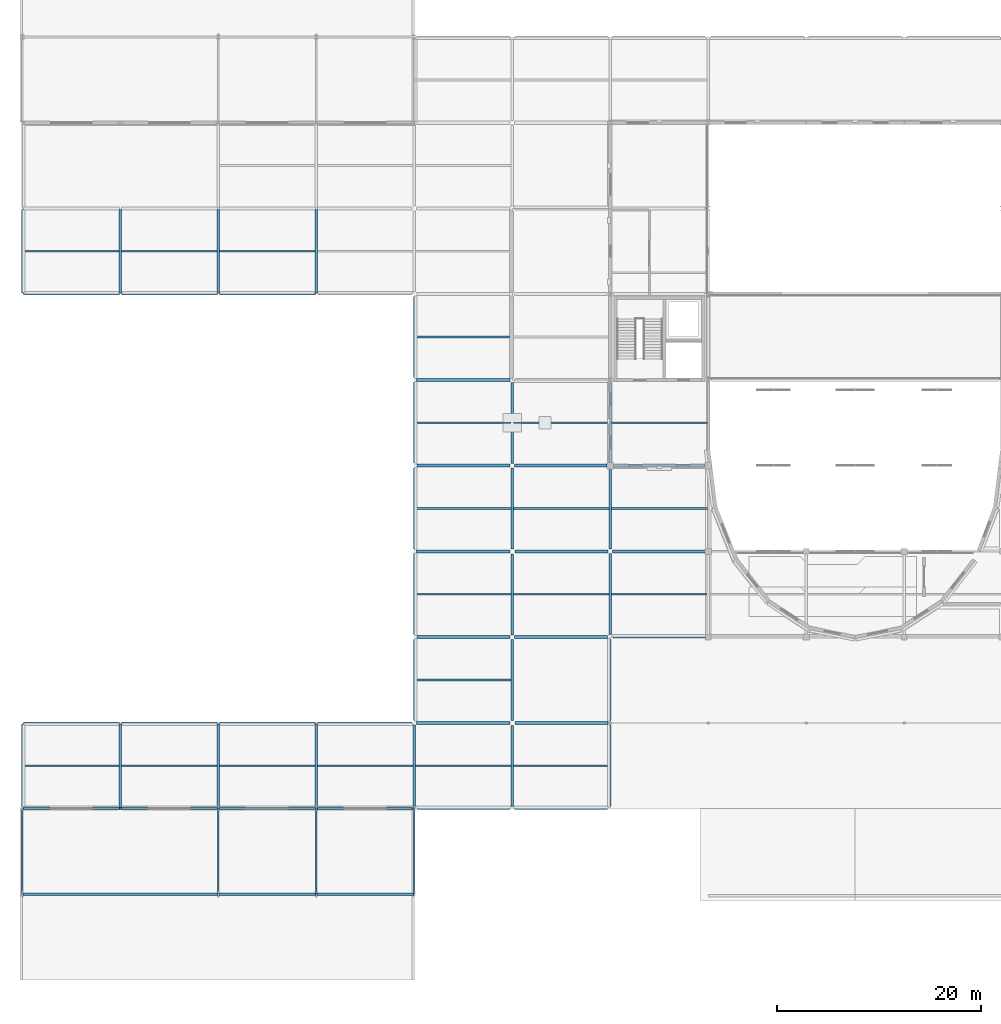
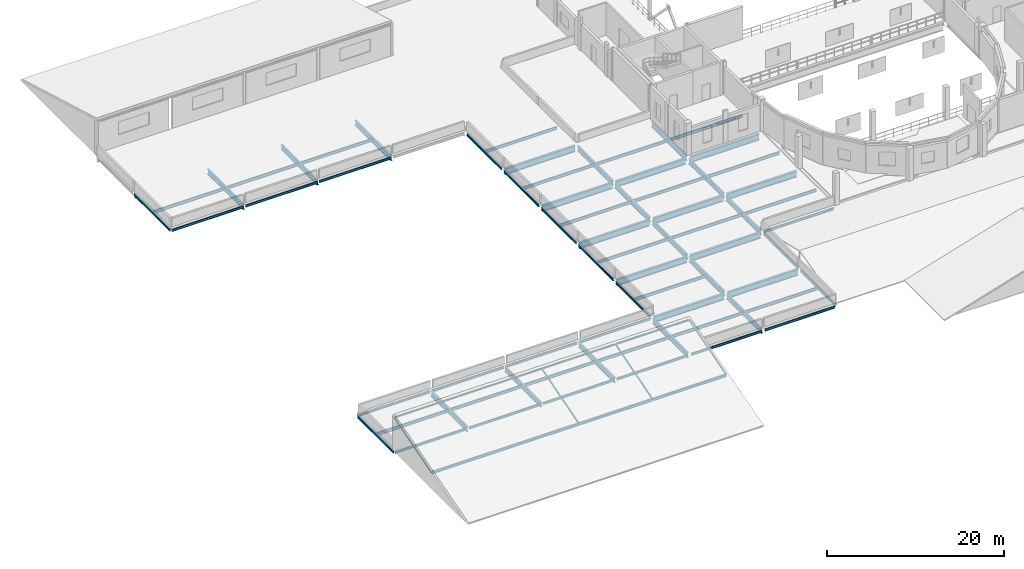
# One storey, part 10 of 52: 75 beams, 4 members.
"""IFC4 building model written with IfcOpenShell, lengths in metres."""

from ifc_helpers import new_model, si_unit, direction, frame, origin, origin_2d, place, context, subcontext, project, spatial, hollow_rectangle, i_section, extrude, material, material_profile, profile_set, type_object, element, save


model = new_model("IFC4")

# Units and contexts
model_context = context("Model", 3, precision=1e-05, world=origin(), true_north=direction((0.0, 1.0)))
body_context = subcontext(model_context, "Body", "Model", "MODEL_VIEW")
ifc_project = project(units=[si_unit("LENGTHUNIT", "METRE"), si_unit("AREAUNIT", "SQUARE_METRE"), si_unit("VOLUMEUNIT", "CUBIC_METRE"), si_unit("PLANEANGLEUNIT", "RADIAN"), si_unit("MASSUNIT", "GRAM", prefix="KILO")], contexts=[model_context])

# Site, building, storey
site_placement = place(None, origin())
site = spatial("IfcSite", under=ifc_project, at=site_placement, CompositionType="ELEMENT")
building_placement = place(site_placement, origin())
building = spatial("IfcBuilding", under=site, at=building_placement, Name="Lornevale Opera House", CompositionType="ELEMENT")
storey_placement = place(building_placement, frame((0.0, 0.0, 15.0)))
storey = spatial("IfcBuildingStorey", under=building, at=storey_placement, Name="L04", CompositionType="ELEMENT", Elevation=15.0)

# Beams
ifc_material = material(Name="Structural Steel CSA G40.21 Grade 350W (350 MPa)", Category="steel")
ifc_material_profile_1 = material_profile(ifc_material, i_section(OverallWidth=0.1650390625, OverallDepth=0.200927734375, WebThickness=0.006103515625, FlangeThickness=0.01025390625, at=origin_2d()), Name="W200x36")
ifc_profile_set_1 = profile_set([ifc_material_profile_1], Name="Structural Steel CSA G40.21 Grade 350W (350 MPa)")
beam_type_1 = type_object("IfcBeamType", Name="Monopitch Studio Purlin W200x36", PredefinedType="JOIST", material=ifc_profile_set_1)
beam_1_placement = place(storey_placement, frame((0.050048828125, 16.800048828125, 4.397216796875), z_axis=(1.0, 0.0, 0.0), x_axis=(0.0, 1.0, 0.0)))
element("IfcBeam", 1, at=beam_1_placement, inside=storey, type_object=beam_type_1, Name="Monopitch Studio Purlin W200x36 3018", PredefinedType="JOIST", context=body_context, shape_type="SweptSolid", body=[
    extrude(i_section(OverallWidth=0.1650390625, OverallDepth=0.200927734375, WebThickness=0.006103515625, FlangeThickness=0.01025390625, at=origin_2d()), origin(), (0.0, 0.0, 1.0), 19.099853515625),
])
for number, where, z_axis, x_axis, name in (
    (2, (19.25, 16.800048828125, 4.397216796875), (1.0, 0.0, 0.0), (0.0, 1.0, 0.0), "Monopitch Studio Purlin W200x36 3020"),
    (3, (28.85009765625, 16.800048828125, 4.397216796875), (1.0, 0.0, 0.0), (0.0, 1.0, 0.0), "Monopitch Studio Purlin W200x36 3022"),
):
    element("IfcBeam", number, at=place(storey_placement, frame(where, z_axis=z_axis, x_axis=x_axis)), inside=storey, type_object=beam_type_1, Name=name, PredefinedType="JOIST", context=body_context, shape_type="SweptSolid", body=[
        extrude(i_section(OverallWidth=0.1650390625, OverallDepth=0.200927734375, WebThickness=0.006103515625, FlangeThickness=0.01025390625, at=origin_2d()), origin(), (0.0, 0.0, 1.0), 9.5),
    ])
ifc_material_profile_2 = material_profile(ifc_material, i_section(OverallWidth=0.202880859375, OverallDepth=0.346923828125, WebThickness=0.0078125, FlangeThickness=0.013427734375, at=origin_2d()), Name="W360x64")
ifc_profile_set_2 = profile_set([ifc_material_profile_2], Name="Structural Steel CSA G40.21 Grade 350W (350 MPa)")
beam_type_2 = type_object("IfcBeamType", Name="Monopitch Studio Truss Chord W360x64", PredefinedType="BEAM", material=ifc_profile_set_2)
beam_2_placement = place(storey_placement, frame((0.050048828125, 8.39990234375, 1.8798828125), z_axis=(1.0, 0.0, 0.0), x_axis=(0.0, 1.0, 0.0)))
element("IfcBeam", 4, at=beam_2_placement, inside=storey, type_object=beam_type_2, Name="Monopitch Studio Truss Chord W360x64 3017", PredefinedType="BEAM", context=body_context, shape_type="SweptSolid", body=[
    extrude(i_section(OverallWidth=0.202880859375, OverallDepth=0.346923828125, WebThickness=0.0078125, FlangeThickness=0.013427734375, at=origin_2d()), origin(), (0.0, 0.0, 1.0), 19.099853515625),
])
for number, where, z_axis, x_axis, name in (
    (5, (19.25, 8.39990234375, 1.8798828125), (1.0, 0.0, 0.0), (0.0, 1.0, 0.0), "Monopitch Studio Truss Chord W360x64 3019"),
    (6, (28.85009765625, 8.39990234375, 1.8798828125), (1.0, 0.0, 0.0), (0.0, 1.0, 0.0), "Monopitch Studio Truss Chord W360x64 3021"),
):
    element("IfcBeam", number, at=place(storey_placement, frame(where, z_axis=z_axis, x_axis=x_axis)), inside=storey, type_object=beam_type_2, Name=name, PredefinedType="BEAM", context=body_context, shape_type="SweptSolid", body=[
        extrude(i_section(OverallWidth=0.202880859375, OverallDepth=0.346923828125, WebThickness=0.0078125, FlangeThickness=0.013427734375, at=origin_2d()), origin(), (0.0, 0.0, 1.0), 9.5),
    ])
ifc_material_profile_3 = material_profile(ifc_material, i_section(OverallWidth=0.299072265625, OverallDepth=0.845947265625, WebThickness=0.015380859375, FlangeThickness=0.0244140625, at=origin_2d()), Name="W840x210")
ifc_profile_set_3 = profile_set([ifc_material_profile_3], Name="Structural Steel CSA G40.21 Grade 350W (350 MPa)")
beam_type_3 = type_object("IfcBeamType", Name="Steel Clear-Span Girder W840x210", PredefinedType="USERDEFINED", material=ifc_profile_set_3)
for number, where, z_axis, x_axis, name in (
    (7, (38.625, 25.199951171875, -0.72802734375), (1.0, 0.0, 0.0), (0.0, 1.0, 0.0), "Steel Clear-Span Girder W840x210 2473"),
    (8, (48.25, 25.199951171875, -0.72802734375), (1.0, 0.0, 0.0), (0.0, 1.0, 0.0), "Steel Clear-Span Girder W840x210 2474"),
    (9, (38.64990234375, 33.60009765625, -0.72802734375), (1.0, 0.0, 0.0), (0.0, 1.0, 0.0), "Steel Clear-Span Girder W840x210 2479"),
    (10, (48.22509765625, 33.60009765625, -0.72802734375), (1.0, 0.0, 0.0), (0.0, 1.0, 0.0), "Steel Clear-Span Girder W840x210 2480"),
    (11, (38.625, 42.0, -0.72802734375), (1.0, 0.0, 0.0), (0.0, 1.0, 0.0), "Steel Clear-Span Girder W840x210 2490"),
    (12, (48.25, 42.0, -0.72802734375), (1.0, 0.0, 0.0), (0.0, 1.0, 0.0), "Steel Clear-Span Girder W840x210 2491"),
):
    element("IfcBeam", number, at=place(storey_placement, frame(where, z_axis=z_axis, x_axis=x_axis)), inside=storey, type_object=beam_type_3, Name=name, ObjectType="GIRDER", PredefinedType="USERDEFINED", context=body_context, shape_type="SweptSolid", body=[
        extrude(i_section(OverallWidth=0.299072265625, OverallDepth=0.845947265625, WebThickness=0.015380859375, FlangeThickness=0.0244140625, at=origin_2d()), origin(), (0.0, 0.0, 1.0), 9.125),
    ])
beam_3_placement = place(storey_placement, frame((57.824951171875, 42.0, -0.72802734375), z_axis=(1.0, 0.0, 0.0), x_axis=(0.0, 1.0, 0.0)))
element("IfcBeam", 13, at=beam_3_placement, inside=storey, type_object=beam_type_3, Name="Steel Clear-Span Girder W840x210 2492", ObjectType="GIRDER", PredefinedType="USERDEFINED", context=body_context, shape_type="SweptSolid", body=[
    extrude(i_section(OverallWidth=0.299072265625, OverallDepth=0.845947265625, WebThickness=0.015380859375, FlangeThickness=0.0244140625, at=origin_2d()), origin(), (0.0, 0.0, 1.0), 9.10009765625),
])
beam_4_placement = place(storey_placement, frame((38.64990234375, 50.39990234375, -0.72802734375), z_axis=(1.0, 0.0, 0.0), x_axis=(0.0, 1.0, 0.0)))
element("IfcBeam", 14, at=beam_4_placement, inside=storey, type_object=beam_type_3, Name="Steel Clear-Span Girder W840x210 2501", ObjectType="GIRDER", PredefinedType="USERDEFINED", context=body_context, shape_type="SweptSolid", body=[
    extrude(i_section(OverallWidth=0.299072265625, OverallDepth=0.845947265625, WebThickness=0.015380859375, FlangeThickness=0.0244140625, at=origin_2d()), origin(), (0.0, 0.0, 1.0), 9.125),
])
beam_5_placement = place(storey_placement, frame((48.22509765625, 50.39990234375, -0.72802734375), z_axis=(1.0, 0.0, 0.0), x_axis=(0.0, 1.0, 0.0)))
element("IfcBeam", 15, at=beam_5_placement, inside=storey, type_object=beam_type_3, Name="Steel Clear-Span Girder W840x210 2502", ObjectType="GIRDER", PredefinedType="USERDEFINED", context=body_context, shape_type="SweptSolid", body=[
    extrude(i_section(OverallWidth=0.299072265625, OverallDepth=0.845947265625, WebThickness=0.015380859375, FlangeThickness=0.0244140625, at=origin_2d()), origin(), (0.0, 0.0, 1.0), 9.074951171875),
])
beam_6_placement = place(storey_placement, frame((57.89990234375, 50.39990234375, -0.72802734375), z_axis=(1.0, 0.0, 0.0), x_axis=(0.0, 1.0, 0.0)))
element("IfcBeam", 16, at=beam_6_placement, inside=storey, type_object=beam_type_3, Name="Steel Clear-Span Girder W840x210 2503", ObjectType="GIRDER", PredefinedType="USERDEFINED", context=body_context, shape_type="SweptSolid", body=[
    extrude(i_section(OverallWidth=0.299072265625, OverallDepth=0.845947265625, WebThickness=0.015380859375, FlangeThickness=0.0244140625, at=origin_2d()), origin(), (0.0, 0.0, 1.0), 9.0),
])
beam_7_placement = place(storey_placement, frame((38.625, 58.800048828125, -0.72802734375), z_axis=(1.0, 0.0, 0.0), x_axis=(0.0, 1.0, 0.0)))
element("IfcBeam", 17, at=beam_7_placement, inside=storey, type_object=beam_type_3, Name="Steel Clear-Span Girder W840x210 2509", ObjectType="GIRDER", PredefinedType="USERDEFINED", context=body_context, shape_type="SweptSolid", body=[
    extrude(i_section(OverallWidth=0.299072265625, OverallDepth=0.845947265625, WebThickness=0.015380859375, FlangeThickness=0.0244140625, at=origin_2d()), origin(), (0.0, 0.0, 1.0), 9.125),
])
ifc_material_profile_4 = material_profile(ifc_material, i_section(OverallWidth=0.179931640625, OverallDepth=0.4130859375, WebThickness=0.009765625, FlangeThickness=0.01611328125, at=origin_2d()), Name="W410x74")
ifc_profile_set_4 = profile_set([ifc_material_profile_4], Name="Structural Steel CSA G40.21 Grade 350W (350 MPa)")
beam_type_4 = type_object("IfcBeamType", Name="Steel Floor Joist W410x74", PredefinedType="JOIST", material=ifc_profile_set_4)
for number, where, z_axis, x_axis, name in (
    (18, (0.08349609375, 21.0, -0.511474609375), (1.0, 0.0, 0.0), (0.0, 1.0, 0.0), "Steel Floor Joist W410x74 2653"),
    (19, (0.08349609375, 71.39990234375, -0.511474609375), (1.0, 0.0, 0.0), (0.0, 1.0, 0.0), "Steel Floor Joist W410x74 2654"),
):
    element("IfcBeam", number, at=place(storey_placement, frame(where, z_axis=z_axis, x_axis=x_axis)), inside=storey, type_object=beam_type_4, Name=name, PredefinedType="JOIST", context=body_context, shape_type="SweptSolid", body=[
        extrude(i_section(OverallWidth=0.179931640625, OverallDepth=0.4130859375, WebThickness=0.009765625, FlangeThickness=0.01611328125, at=origin_2d()), origin(), (0.0, 0.0, 1.0), 9.389404296875),
    ])
for number, where, z_axis, x_axis, name in (
    (20, (9.72705078125, 21.0, -0.511474609375), (1.0, 0.0, 0.0), (0.0, 1.0, 0.0), "Steel Floor Joist W410x74 2655"),
    (21, (9.72705078125, 71.39990234375, -0.511474609375), (1.0, 0.0, 0.0), (0.0, 1.0, 0.0), "Steel Floor Joist W410x74 2656"),
):
    element("IfcBeam", number, at=place(storey_placement, frame(where, z_axis=z_axis, x_axis=x_axis)), inside=storey, type_object=beam_type_4, Name=name, PredefinedType="JOIST", context=body_context, shape_type="SweptSolid", body=[
        extrude(i_section(OverallWidth=0.179931640625, OverallDepth=0.4130859375, WebThickness=0.009765625, FlangeThickness=0.01611328125, at=origin_2d()), origin(), (0.0, 0.0, 1.0), 9.345947265625),
    ])
for number, where, z_axis, x_axis, name in (
    (22, (19.326904296875, 21.0, -0.511474609375), (1.0, 0.0, 0.0), (0.0, 1.0, 0.0), "Steel Floor Joist W410x74 2657"),
    (23, (19.326904296875, 71.39990234375, -0.511474609375), (1.0, 0.0, 0.0), (0.0, 1.0, 0.0), "Steel Floor Joist W410x74 2658"),
):
    element("IfcBeam", number, at=place(storey_placement, frame(where, z_axis=z_axis, x_axis=x_axis)), inside=storey, type_object=beam_type_4, Name=name, PredefinedType="JOIST", context=body_context, shape_type="SweptSolid", body=[
        extrude(i_section(OverallWidth=0.179931640625, OverallDepth=0.4130859375, WebThickness=0.009765625, FlangeThickness=0.01611328125, at=origin_2d()), origin(), (0.0, 0.0, 1.0), 9.34619140625),
    ])
for number, where, z_axis, x_axis, name in (
    (24, (28.927001953125, 21.0, -0.511474609375), (1.0, 0.0, 0.0), (0.0, 1.0, 0.0), "Steel Floor Joist W410x74 2660"),
    (25, (38.527099609375, 21.0, -0.511474609375), (1.0, 0.0, 0.0), (0.0, 1.0, 0.0), "Steel Floor Joist W410x74 2663"),
):
    element("IfcBeam", number, at=place(storey_placement, frame(where, z_axis=z_axis, x_axis=x_axis)), inside=storey, type_object=beam_type_4, Name=name, PredefinedType="JOIST", context=body_context, shape_type="SweptSolid", body=[
        extrude(i_section(OverallWidth=0.179931640625, OverallDepth=0.4130859375, WebThickness=0.009765625, FlangeThickness=0.01611328125, at=origin_2d()), origin(), (0.0, 0.0, 1.0), 9.345947265625),
    ])
for number, where, z_axis, x_axis, name in (
    (26, (38.4833984375, 29.39990234375, -0.511474609375), (1.0, 0.0, 0.0), (0.0, 1.0, 0.0), "Steel Floor Joist W410x74 2664"),
    (27, (38.4833984375, 37.800048828125, -0.511474609375), (1.0, 0.0, 0.0), (0.0, 1.0, 0.0), "Steel Floor Joist W410x74 2665"),
    (28, (38.4833984375, 46.199951171875, -0.511474609375), (1.0, 0.0, 0.0), (0.0, 1.0, 0.0), "Steel Floor Joist W410x74 2666"),
    (29, (38.4833984375, 54.60009765625, -0.511474609375), (1.0, 0.0, 0.0), (0.0, 1.0, 0.0), "Steel Floor Joist W410x74 2667"),
    (30, (38.4833984375, 63.0, -0.511474609375), (1.0, 0.0, 0.0), (0.0, 1.0, 0.0), "Steel Floor Joist W410x74 2668"),
    (31, (48.126953125, 21.0, -0.511474609375), (1.0, 0.0, 0.0), (0.0, 1.0, 0.0), "Steel Floor Joist W410x74 2672"),
):
    element("IfcBeam", number, at=place(storey_placement, frame(where, z_axis=z_axis, x_axis=x_axis)), inside=storey, type_object=beam_type_4, Name=name, PredefinedType="JOIST", context=body_context, shape_type="SweptSolid", body=[
        extrude(i_section(OverallWidth=0.179931640625, OverallDepth=0.4130859375, WebThickness=0.009765625, FlangeThickness=0.01611328125, at=origin_2d()), origin(), (0.0, 0.0, 1.0), 9.3896484375),
    ])
for number, where, z_axis, x_axis, name in (
    (32, (48.126953125, 37.800048828125, -0.511474609375), (1.0, 0.0, 0.0), (0.0, 1.0, 0.0), "Steel Floor Joist W410x74 2673"),
    (33, (48.126953125, 46.199951171875, -0.511474609375), (1.0, 0.0, 0.0), (0.0, 1.0, 0.0), "Steel Floor Joist W410x74 2674"),
    (34, (48.126953125, 54.60009765625, -0.511474609375), (1.0, 0.0, 0.0), (0.0, 1.0, 0.0), "Steel Floor Joist W410x74 2675"),
    (35, (57.72705078125, 37.800048828125, -0.511474609375), (1.0, 0.0, 0.0), (0.0, 1.0, 0.0), "Steel Floor Joist W410x74 2678"),
):
    element("IfcBeam", number, at=place(storey_placement, frame(where, z_axis=z_axis, x_axis=x_axis)), inside=storey, type_object=beam_type_4, Name=name, PredefinedType="JOIST", context=body_context, shape_type="SweptSolid", body=[
        extrude(i_section(OverallWidth=0.179931640625, OverallDepth=0.4130859375, WebThickness=0.009765625, FlangeThickness=0.01611328125, at=origin_2d()), origin(), (0.0, 0.0, 1.0), 9.345947265625),
    ])
for number, where, z_axis, x_axis, name in (
    (36, (57.72705078125, 46.199951171875, -0.511474609375), (1.0, 0.0, 0.0), (0.0, 1.0, 0.0), "Steel Floor Joist W410x74 2679"),
    (37, (57.72705078125, 54.60009765625, -0.511474609375), (1.0, 0.0, 0.0), (0.0, 1.0, 0.0), "Steel Floor Joist W410x74 2680"),
):
    element("IfcBeam", number, at=place(storey_placement, frame(where, z_axis=z_axis, x_axis=x_axis)), inside=storey, type_object=beam_type_4, Name=name, PredefinedType="JOIST", context=body_context, shape_type="SweptSolid", body=[
        extrude(i_section(OverallWidth=0.179931640625, OverallDepth=0.4130859375, WebThickness=0.009765625, FlangeThickness=0.01611328125, at=origin_2d()), origin(), (0.0, 0.0, 1.0), 9.389404296875),
    ])
ifc_material_profile_5 = material_profile(ifc_material, i_section(OverallWidth=0.25390625, OverallDepth=0.68798828125, WebThickness=0.01318359375, FlangeThickness=0.02099609375, at=origin_2d()), Name="W690x152")
ifc_profile_set_5 = profile_set([ifc_material_profile_5], Name="Structural Steel CSA G40.21 Grade 350W (350 MPa)")
beam_type_5 = type_object("IfcBeamType", Name="Steel Foyer Beam W690x152", PredefinedType="USERDEFINED", material=ifc_profile_set_5)
beam_8_placement = place(storey_placement, frame((9.60009765625, 16.91162109375, -0.64892578125), z_axis=(0.0, 1.0, 0.0), x_axis=(-1.0, 0.0, 0.0)))
element("IfcBeam", 38, at=beam_8_placement, inside=storey, type_object=beam_type_5, Name="Steel Foyer Beam W690x152 2563", ObjectType="GIRDER", PredefinedType="USERDEFINED", context=body_context, shape_type="SweptSolid", body=[
    extrude(i_section(OverallWidth=0.25390625, OverallDepth=0.68798828125, WebThickness=0.01318359375, FlangeThickness=0.02099609375, at=origin_2d()), origin(), (0.0, 0.0, 1.0), 8.1767578125),
])
beam_9_placement = place(storey_placement, frame((9.60009765625, 67.3115234375, -0.64892578125), z_axis=(0.0, 1.0, 0.0), x_axis=(-1.0, 0.0, 0.0)))
element("IfcBeam", 39, at=beam_9_placement, inside=storey, type_object=beam_type_5, Name="Steel Foyer Beam W690x152 2564", ObjectType="GIRDER", PredefinedType="USERDEFINED", context=body_context, shape_type="SweptSolid", body=[
    extrude(i_section(OverallWidth=0.25390625, OverallDepth=0.68798828125, WebThickness=0.01318359375, FlangeThickness=0.02099609375, at=origin_2d()), origin(), (0.0, 0.0, 1.0), 8.177001953125),
])
beam_10_placement = place(storey_placement, frame((19.199951171875, 16.91162109375, -0.64892578125), z_axis=(0.0, 1.0, 0.0), x_axis=(-1.0, 0.0, 0.0)))
element("IfcBeam", 40, at=beam_10_placement, inside=storey, type_object=beam_type_5, Name="Steel Foyer Beam W690x152 2565", ObjectType="GIRDER", PredefinedType="USERDEFINED", context=body_context, shape_type="SweptSolid", body=[
    extrude(i_section(OverallWidth=0.25390625, OverallDepth=0.68798828125, WebThickness=0.01318359375, FlangeThickness=0.02099609375, at=origin_2d()), origin(), (0.0, 0.0, 1.0), 8.1767578125),
])
beam_11_placement = place(storey_placement, frame((19.199951171875, 67.3115234375, -0.64892578125), z_axis=(0.0, 1.0, 0.0), x_axis=(-1.0, 0.0, 0.0)))
element("IfcBeam", 41, at=beam_11_placement, inside=storey, type_object=beam_type_5, Name="Steel Foyer Beam W690x152 2566", ObjectType="GIRDER", PredefinedType="USERDEFINED", context=body_context, shape_type="SweptSolid", body=[
    extrude(i_section(OverallWidth=0.25390625, OverallDepth=0.68798828125, WebThickness=0.01318359375, FlangeThickness=0.02099609375, at=origin_2d()), origin(), (0.0, 0.0, 1.0), 8.177001953125),
])
beam_12_placement = place(storey_placement, frame((28.800048828125, 16.91162109375, -0.64892578125), z_axis=(0.0, 1.0, 0.0), x_axis=(-1.0, 0.0, 0.0)))
element("IfcBeam", 42, at=beam_12_placement, inside=storey, type_object=beam_type_5, Name="Steel Foyer Beam W690x152 2568", ObjectType="GIRDER", PredefinedType="USERDEFINED", context=body_context, shape_type="SweptSolid", body=[
    extrude(i_section(OverallWidth=0.25390625, OverallDepth=0.68798828125, WebThickness=0.01318359375, FlangeThickness=0.02099609375, at=origin_2d()), origin(), (0.0, 0.0, 1.0), 8.1767578125),
])
beam_13_placement = place(storey_placement, frame((28.800048828125, 67.3115234375, -0.64892578125), z_axis=(0.0, 1.0, 0.0), x_axis=(-1.0, 0.0, 0.0)))
element("IfcBeam", 43, at=beam_13_placement, inside=storey, type_object=beam_type_5, Name="Steel Foyer Beam W690x152 2569", ObjectType="GIRDER", PredefinedType="USERDEFINED", context=body_context, shape_type="SweptSolid", body=[
    extrude(i_section(OverallWidth=0.25390625, OverallDepth=0.68798828125, WebThickness=0.01318359375, FlangeThickness=0.02099609375, at=origin_2d()), origin(), (0.0, 0.0, 1.0), 8.177001953125),
])
for number, where, z_axis, x_axis, name in (
    (44, (38.39990234375, 17.050048828125, -0.64892578125), (0.0, 1.0, 0.0), (-1.0, 0.0, 0.0), "Steel Foyer Beam W690x152 2571"),
    (45, (48.0, 17.02490234375, -0.64892578125), (0.0, 1.0, 0.0), (-1.0, 0.0, 0.0), "Steel Foyer Beam W690x152 2580"),
    (46, (48.0, 25.449951171875, -0.64892578125), (0.0, 1.0, 0.0), (-1.0, 0.0, 0.0), "Steel Foyer Beam W690x152 2581"),
    (47, (48.0, 33.824951171875, -0.64892578125), (0.0, 1.0, 0.0), (-1.0, 0.0, 0.0), "Steel Foyer Beam W690x152 2582"),
    (48, (48.0, 42.25, -0.64892578125), (0.0, 1.0, 0.0), (-1.0, 0.0, 0.0), "Steel Foyer Beam W690x152 2583"),
    (49, (48.0, 50.625, -0.64892578125), (0.0, 1.0, 0.0), (-1.0, 0.0, 0.0), "Steel Foyer Beam W690x152 2584"),
):
    element("IfcBeam", number, at=place(storey_placement, frame(where, z_axis=z_axis, x_axis=x_axis)), inside=storey, type_object=beam_type_5, Name=name, ObjectType="GIRDER", PredefinedType="USERDEFINED", context=body_context, shape_type="SweptSolid", body=[
        extrude(i_section(OverallWidth=0.25390625, OverallDepth=0.68798828125, WebThickness=0.01318359375, FlangeThickness=0.02099609375, at=origin_2d()), origin(), (0.0, 0.0, 1.0), 7.925048828125),
    ])
beam_14_placement = place(storey_placement, frame((57.60009765625, 33.85009765625, -0.64892578125), z_axis=(0.0, 1.0, 0.0), x_axis=(-1.0, 0.0, 0.0)))
element("IfcBeam", 50, at=beam_14_placement, inside=storey, type_object=beam_type_5, Name="Steel Foyer Beam W690x152 2591", ObjectType="GIRDER", PredefinedType="USERDEFINED", context=body_context, shape_type="SweptSolid", body=[
    extrude(i_section(OverallWidth=0.25390625, OverallDepth=0.68798828125, WebThickness=0.01318359375, FlangeThickness=0.02099609375, at=origin_2d()), origin(), (0.0, 0.0, 1.0), 7.9248046875),
])
beam_15_placement = place(storey_placement, frame((57.60009765625, 42.22509765625, -0.64892578125), z_axis=(0.0, 1.0, 0.0), x_axis=(-1.0, 0.0, 0.0)))
element("IfcBeam", 51, at=beam_15_placement, inside=storey, type_object=beam_type_5, Name="Steel Foyer Beam W690x152 2592", ObjectType="GIRDER", PredefinedType="USERDEFINED", context=body_context, shape_type="SweptSolid", body=[
    extrude(i_section(OverallWidth=0.25390625, OverallDepth=0.68798828125, WebThickness=0.01318359375, FlangeThickness=0.02099609375, at=origin_2d()), origin(), (0.0, 0.0, 1.0), 7.875),
])
beam_16_placement = place(storey_placement, frame((57.60009765625, 50.699951171875, -0.64892578125), z_axis=(0.0, 1.0, 0.0), x_axis=(-1.0, 0.0, 0.0)))
element("IfcBeam", 52, at=beam_16_placement, inside=storey, type_object=beam_type_5, Name="Steel Foyer Beam W690x152 2593", ObjectType="GIRDER", PredefinedType="USERDEFINED", context=body_context, shape_type="SweptSolid", body=[
    extrude(i_section(OverallWidth=0.25390625, OverallDepth=0.68798828125, WebThickness=0.01318359375, FlangeThickness=0.02099609375, at=origin_2d()), origin(), (0.0, 0.0, 1.0), 7.800048828125),
])
ifc_material_profile_6 = material_profile(ifc_material, i_section(OverallWidth=0.1669921875, OverallDepth=0.31689453125, WebThickness=0.007568359375, FlangeThickness=0.01318359375, at=origin_2d()), Name="W310x52")
ifc_profile_set_6 = profile_set([ifc_material_profile_6], Name="Structural Steel CSA G40.21 Grade 350W (350 MPa)")
beam_type_6 = type_object("IfcBeamType", Name="Steel Spandrel Beam W310x52", PredefinedType="SPANDREL", material=ifc_profile_set_6)
beam_17_placement = place(storey_placement, frame((0.1044921875, 16.800048828125, -0.46337890625), z_axis=(1.0, 0.0, 0.0), x_axis=(0.0, 1.0, 0.0)))
element("IfcBeam", 53, at=beam_17_placement, inside=storey, type_object=beam_type_6, Name="Steel Spandrel Beam W310x52 2459", PredefinedType="SPANDREL", context=body_context, shape_type="SweptSolid", body=[
    extrude(i_section(OverallWidth=0.1669921875, OverallDepth=0.31689453125, WebThickness=0.007568359375, FlangeThickness=0.01318359375, at=origin_2d()), origin(), (0.0, 0.0, 1.0), 9.39111328125),
])
beam_18_placement = place(storey_placement, frame((9.70458984375, 16.800048828125, -0.46337890625), z_axis=(1.0, 0.0, 0.0), x_axis=(0.0, 1.0, 0.0)))
element("IfcBeam", 54, at=beam_18_placement, inside=storey, type_object=beam_type_6, Name="Steel Spandrel Beam W310x52 2460", PredefinedType="SPANDREL", context=body_context, shape_type="SweptSolid", body=[
    extrude(i_section(OverallWidth=0.1669921875, OverallDepth=0.31689453125, WebThickness=0.007568359375, FlangeThickness=0.01318359375, at=origin_2d()), origin(), (0.0, 0.0, 1.0), 9.390869140625),
])
beam_19_placement = place(storey_placement, frame((19.304443359375, 16.800048828125, -0.46337890625), z_axis=(1.0, 0.0, 0.0), x_axis=(0.0, 1.0, 0.0)))
element("IfcBeam", 55, at=beam_19_placement, inside=storey, type_object=beam_type_6, Name="Steel Spandrel Beam W310x52 2461", PredefinedType="SPANDREL", context=body_context, shape_type="SweptSolid", body=[
    extrude(i_section(OverallWidth=0.1669921875, OverallDepth=0.31689453125, WebThickness=0.007568359375, FlangeThickness=0.01318359375, at=origin_2d()), origin(), (0.0, 0.0, 1.0), 9.39111328125),
])
beam_20_placement = place(storey_placement, frame((28.904541015625, 16.800048828125, -0.46337890625), z_axis=(1.0, 0.0, 0.0), x_axis=(0.0, 1.0, 0.0)))
element("IfcBeam", 56, at=beam_20_placement, inside=storey, type_object=beam_type_6, Name="Steel Spandrel Beam W310x52 2462", PredefinedType="SPANDREL", context=body_context, shape_type="SweptSolid", body=[
    extrude(i_section(OverallWidth=0.1669921875, OverallDepth=0.31689453125, WebThickness=0.007568359375, FlangeThickness=0.01318359375, at=origin_2d()), origin(), (0.0, 0.0, 1.0), 9.245361328125),
])
for number, where, z_axis, x_axis, name in (
    (57, (38.64990234375, 16.800048828125, -0.46337890625), (1.0, 0.0, 0.0), (0.0, 1.0, 0.0), "Steel Spandrel Beam W310x52 2463"),
    (58, (48.22509765625, 16.800048828125, -0.46337890625), (1.0, 0.0, 0.0), (0.0, 1.0, 0.0), "Steel Spandrel Beam W310x52 2464"),
):
    element("IfcBeam", number, at=place(storey_placement, frame(where, z_axis=z_axis, x_axis=x_axis)), inside=storey, type_object=beam_type_6, Name=name, PredefinedType="SPANDREL", context=body_context, shape_type="SweptSolid", body=[
        extrude(i_section(OverallWidth=0.1669921875, OverallDepth=0.31689453125, WebThickness=0.007568359375, FlangeThickness=0.01318359375, at=origin_2d()), origin(), (0.0, 0.0, 1.0), 9.125),
    ])
beam_21_placement = place(storey_placement, frame((0.1044921875, 25.199951171875, -0.46337890625), z_axis=(1.0, 0.0, 0.0), x_axis=(0.0, 1.0, 0.0)))
element("IfcBeam", 59, at=beam_21_placement, inside=storey, type_object=beam_type_6, Name="Steel Spandrel Beam W310x52 2469", PredefinedType="SPANDREL", context=body_context, shape_type="SweptSolid", body=[
    extrude(i_section(OverallWidth=0.1669921875, OverallDepth=0.31689453125, WebThickness=0.007568359375, FlangeThickness=0.01318359375, at=origin_2d()), origin(), (0.0, 0.0, 1.0), 9.39111328125),
])
beam_22_placement = place(storey_placement, frame((9.70458984375, 25.199951171875, -0.46337890625), z_axis=(1.0, 0.0, 0.0), x_axis=(0.0, 1.0, 0.0)))
element("IfcBeam", 60, at=beam_22_placement, inside=storey, type_object=beam_type_6, Name="Steel Spandrel Beam W310x52 2470", PredefinedType="SPANDREL", context=body_context, shape_type="SweptSolid", body=[
    extrude(i_section(OverallWidth=0.1669921875, OverallDepth=0.31689453125, WebThickness=0.007568359375, FlangeThickness=0.01318359375, at=origin_2d()), origin(), (0.0, 0.0, 1.0), 9.390869140625),
])
beam_23_placement = place(storey_placement, frame((19.304443359375, 25.199951171875, -0.46337890625), z_axis=(1.0, 0.0, 0.0), x_axis=(0.0, 1.0, 0.0)))
element("IfcBeam", 61, at=beam_23_placement, inside=storey, type_object=beam_type_6, Name="Steel Spandrel Beam W310x52 2471", PredefinedType="SPANDREL", context=body_context, shape_type="SweptSolid", body=[
    extrude(i_section(OverallWidth=0.1669921875, OverallDepth=0.31689453125, WebThickness=0.007568359375, FlangeThickness=0.01318359375, at=origin_2d()), origin(), (0.0, 0.0, 1.0), 9.39111328125),
])
beam_24_placement = place(storey_placement, frame((28.904541015625, 25.199951171875, -0.46337890625), z_axis=(1.0, 0.0, 0.0), x_axis=(0.0, 1.0, 0.0)))
element("IfcBeam", 62, at=beam_24_placement, inside=storey, type_object=beam_type_6, Name="Steel Spandrel Beam W310x52 2472", PredefinedType="SPANDREL", context=body_context, shape_type="SweptSolid", body=[
    extrude(i_section(OverallWidth=0.1669921875, OverallDepth=0.31689453125, WebThickness=0.007568359375, FlangeThickness=0.01318359375, at=origin_2d()), origin(), (0.0, 0.0, 1.0), 9.2705078125),
])
beam_25_placement = place(storey_placement, frame((57.85009765625, 33.60009765625, -0.46337890625), z_axis=(1.0, 0.0, 0.0), x_axis=(0.0, 1.0, 0.0)))
element("IfcBeam", 63, at=beam_25_placement, inside=storey, type_object=beam_type_6, Name="Steel Spandrel Beam W310x52 2481", PredefinedType="SPANDREL", context=body_context, shape_type="SweptSolid", body=[
    extrude(i_section(OverallWidth=0.1669921875, OverallDepth=0.31689453125, WebThickness=0.007568359375, FlangeThickness=0.01318359375, at=origin_2d()), origin(), (0.0, 0.0, 1.0), 9.074951171875),
])
beam_26_placement = place(storey_placement, frame((0.1044921875, 67.199951171875, -0.46337890625), z_axis=(1.0, 0.0, 0.0), x_axis=(0.0, 1.0, 0.0)))
element("IfcBeam", 64, at=beam_26_placement, inside=storey, type_object=beam_type_6, Name="Steel Spandrel Beam W310x52 2518", PredefinedType="SPANDREL", context=body_context, shape_type="SweptSolid", body=[
    extrude(i_section(OverallWidth=0.1669921875, OverallDepth=0.31689453125, WebThickness=0.007568359375, FlangeThickness=0.01318359375, at=origin_2d()), origin(), (0.0, 0.0, 1.0), 9.39111328125),
])
beam_27_placement = place(storey_placement, frame((9.70458984375, 67.199951171875, -0.46337890625), z_axis=(1.0, 0.0, 0.0), x_axis=(0.0, 1.0, 0.0)))
element("IfcBeam", 65, at=beam_27_placement, inside=storey, type_object=beam_type_6, Name="Steel Spandrel Beam W310x52 2519", PredefinedType="SPANDREL", context=body_context, shape_type="SweptSolid", body=[
    extrude(i_section(OverallWidth=0.1669921875, OverallDepth=0.31689453125, WebThickness=0.007568359375, FlangeThickness=0.01318359375, at=origin_2d()), origin(), (0.0, 0.0, 1.0), 9.390869140625),
])
beam_28_placement = place(storey_placement, frame((19.304443359375, 67.199951171875, -0.46337890625), z_axis=(1.0, 0.0, 0.0), x_axis=(0.0, 1.0, 0.0)))
element("IfcBeam", 66, at=beam_28_placement, inside=storey, type_object=beam_type_6, Name="Steel Spandrel Beam W310x52 2520", PredefinedType="SPANDREL", context=body_context, shape_type="SweptSolid", body=[
    extrude(i_section(OverallWidth=0.1669921875, OverallDepth=0.31689453125, WebThickness=0.007568359375, FlangeThickness=0.01318359375, at=origin_2d()), origin(), (0.0, 0.0, 1.0), 9.39111328125),
])
beam_29_placement = place(storey_placement, frame((0.0, 16.91162109375, -0.46337890625), z_axis=(0.0, 1.0, 0.0), x_axis=(-1.0, 0.0, 0.0)))
element("IfcBeam", 67, at=beam_29_placement, inside=storey, type_object=beam_type_6, Name="Steel Spandrel Beam W310x52 2560", PredefinedType="SPANDREL", context=body_context, shape_type="SweptSolid", body=[
    extrude(i_section(OverallWidth=0.1669921875, OverallDepth=0.31689453125, WebThickness=0.007568359375, FlangeThickness=0.01318359375, at=origin_2d()), origin(), (0.0, 0.0, 1.0), 8.1767578125),
])
beam_30_placement = place(storey_placement, frame((0.0, 67.3115234375, -0.46337890625), z_axis=(0.0, 1.0, 0.0), x_axis=(-1.0, 0.0, 0.0)))
element("IfcBeam", 68, at=beam_30_placement, inside=storey, type_object=beam_type_6, Name="Steel Spandrel Beam W310x52 2561", PredefinedType="SPANDREL", context=body_context, shape_type="SweptSolid", body=[
    extrude(i_section(OverallWidth=0.1669921875, OverallDepth=0.31689453125, WebThickness=0.007568359375, FlangeThickness=0.01318359375, at=origin_2d()), origin(), (0.0, 0.0, 1.0), 8.177001953125),
])
beam_31_placement = place(storey_placement, frame((38.39990234375, 25.425048828125, -0.46337890625), z_axis=(0.0, 1.0, 0.0), x_axis=(-1.0, 0.0, 0.0)))
element("IfcBeam", 69, at=beam_31_placement, inside=storey, type_object=beam_type_6, Name="Steel Spandrel Beam W310x52 2572", PredefinedType="SPANDREL", context=body_context, shape_type="SweptSolid", body=[
    extrude(i_section(OverallWidth=0.1669921875, OverallDepth=0.31689453125, WebThickness=0.007568359375, FlangeThickness=0.01318359375, at=origin_2d()), origin(), (0.0, 0.0, 1.0), 7.925048828125),
])
for number, where, z_axis, x_axis, name in (
    (70, (38.39990234375, 33.85009765625, -0.46337890625), (0.0, 1.0, 0.0), (-1.0, 0.0, 0.0), "Steel Spandrel Beam W310x52 2573"),
    (71, (38.39990234375, 42.22509765625, -0.46337890625), (0.0, 1.0, 0.0), (-1.0, 0.0, 0.0), "Steel Spandrel Beam W310x52 2574"),
):
    element("IfcBeam", number, at=place(storey_placement, frame(where, z_axis=z_axis, x_axis=x_axis)), inside=storey, type_object=beam_type_6, Name=name, PredefinedType="SPANDREL", context=body_context, shape_type="SweptSolid", body=[
        extrude(i_section(OverallWidth=0.1669921875, OverallDepth=0.31689453125, WebThickness=0.007568359375, FlangeThickness=0.01318359375, at=origin_2d()), origin(), (0.0, 0.0, 1.0), 7.9248046875),
    ])
for number, where, z_axis, x_axis, name in (
    (72, (38.39990234375, 50.64990234375, -0.46337890625), (0.0, 1.0, 0.0), (-1.0, 0.0, 0.0), "Steel Spandrel Beam W310x52 2575"),
    (73, (38.39990234375, 59.02490234375, -0.46337890625), (0.0, 1.0, 0.0), (-1.0, 0.0, 0.0), "Steel Spandrel Beam W310x52 2576"),
    (74, (57.60009765625, 17.050048828125, -0.46337890625), (0.0, 1.0, 0.0), (-1.0, 0.0, 0.0), "Steel Spandrel Beam W310x52 2589"),
    (75, (57.60009765625, 25.425048828125, -0.46337890625), (0.0, 1.0, 0.0), (-1.0, 0.0, 0.0), "Steel Spandrel Beam W310x52 2590"),
):
    element("IfcBeam", number, at=place(storey_placement, frame(where, z_axis=z_axis, x_axis=x_axis)), inside=storey, type_object=beam_type_6, Name=name, PredefinedType="SPANDREL", context=body_context, shape_type="SweptSolid", body=[
        extrude(i_section(OverallWidth=0.1669921875, OverallDepth=0.31689453125, WebThickness=0.007568359375, FlangeThickness=0.01318359375, at=origin_2d()), origin(), (0.0, 0.0, 1.0), 7.925048828125),
    ])

# Members
ifc_material_profile_7 = material_profile(ifc_material, hollow_rectangle(XDim=0.152099609375, YDim=0.152099609375, WallThickness=0.009521484375, at=origin_2d()), Name="HSS152x152x10")
ifc_profile_set_7 = profile_set([ifc_material_profile_7], Name="Structural Steel CSA G40.21 Grade 350W (350 MPa)")
member_type = type_object("IfcMemberType", Name="Studio Truss Web HSS152x152x10", PredefinedType="STRUT", material=ifc_profile_set_7)
for number, where, z_axis, x_axis, name in (
    (76, (0.0, 8.39990234375, 1.8798828125), (0.0, 0.957911297551, 0.287064358679), (-1.0, 0.0, 0.0), "Studio Truss Web HSS152x152x10 0096"),
    (77, (19.199951171875, 8.39990234375, 1.8798828125), (0.0, 0.957911297551, 0.287064358679), (-1.0, 0.0, 0.0), "Studio Truss Web HSS152x152x10 0097"),
    (78, (28.800048828125, 8.39990234375, 1.8798828125), (0.0, 0.957911297551, 0.287064358679), (-1.0, 0.0, 0.0), "Studio Truss Web HSS152x152x10 0098"),
    (79, (38.39990234375, 8.39990234375, 1.8798828125), (0.0, 0.957911297551, 0.287064358679), (-1.0, 0.0, 0.0), "Studio Truss Web HSS152x152x10 0099"),
):
    element("IfcMember", number, at=place(storey_placement, frame(where, z_axis=z_axis, x_axis=x_axis)), inside=storey, type_object=member_type, Name=name, PredefinedType="STRUT", context=body_context, shape_type="SweptSolid", body=[
        extrude(hollow_rectangle(XDim=0.152099609375, YDim=0.152099609375, WallThickness=0.009521484375, at=origin_2d()), origin(), (0.0, 0.0, 1.0), 8.769287109375),
    ])

save(model, "model.ifc")
